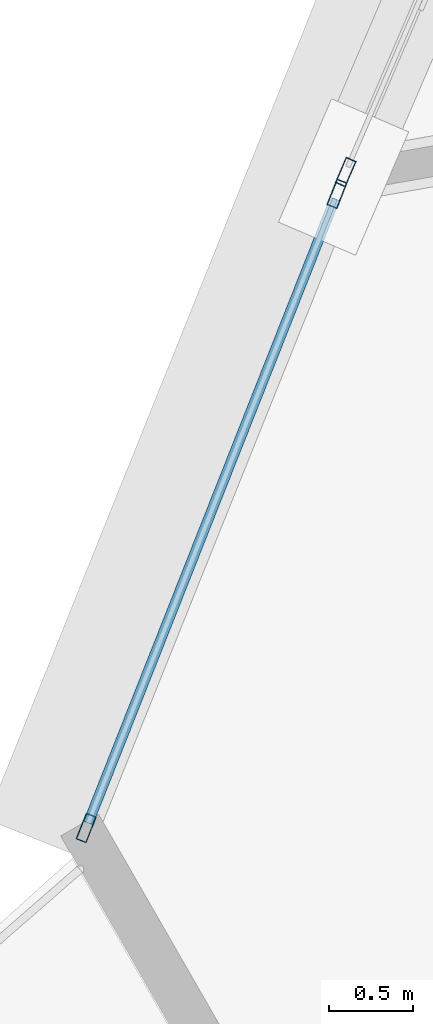
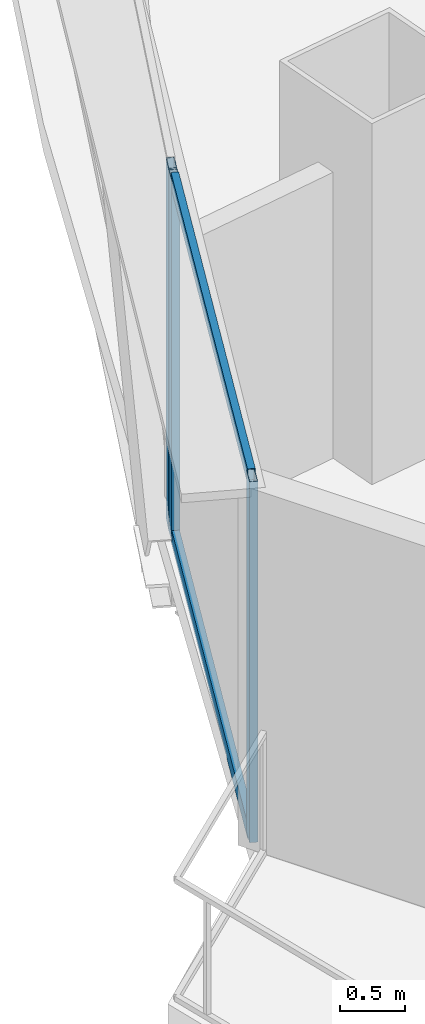
# One storey, part 4 of 38: 5 members, 2 elements without a shape of their own.
"""IFC4 building model written with IfcOpenShell, lengths in metres."""

from ifc_helpers import new_model, si_unit, direction, frame, origin, origin_2d, place, context, subcontext, project, spatial, hollow_rectangle, extrude, source, transform, mapped, material, layer, layer_set, material_profile, profile_set, type_object, element, aggregate, save


model = new_model("IFC4")

# Units and contexts
model_context = context("Model", 3, precision=1e-05, world=origin(), true_north=direction((0.0, 1.0)))
body_context = subcontext(model_context, "Body", "Model", "MODEL_VIEW")
ifc_project = project(units=[si_unit("LENGTHUNIT", "METRE"), si_unit("AREAUNIT", "SQUARE_METRE"), si_unit("VOLUMEUNIT", "CUBIC_METRE"), si_unit("PLANEANGLEUNIT", "RADIAN"), si_unit("MASSUNIT", "GRAM", prefix="KILO"), si_unit("THERMODYNAMICTEMPERATUREUNIT", "KELVIN"), si_unit("POWERUNIT", "WATT")], contexts=[model_context])

# Site, building, storey
site_placement = place(None, origin())
site = spatial("IfcSite", under=ifc_project, at=site_placement, CompositionType="ELEMENT")
building_placement = place(site_placement, origin())
building = spatial("IfcBuilding", under=site, at=building_placement, Name="Yunzhuo Pagoda Commons", CompositionType="ELEMENT")
storey_placement = place(building_placement, frame((0.0, 0.0, 34.030029296875)))
storey = spatial("IfcBuildingStorey", under=building, at=storey_placement, Name="L08", CompositionType="ELEMENT", Elevation=34.030029296875)

# Curtain wall, members
ifc_material = material(Name="Anodized aluminium 6063-T6", Category="aluminium")
ifc_layer = layer(ifc_material, 0.1650390625)
ifc_layer_set = layer_set([ifc_layer], Name="Anodized aluminium 6063-T6")
curtain_wall_type = type_object("IfcCurtainWallType", Name="CW-LOW Low-Zone Ribbon Curtain Wall", PredefinedType="NOTDEFINED", material=ifc_layer_set)
curtain_wall_1_placement = place(storey_placement, origin())
curtain_wall_1 = element("IfcCurtainWall", 1, at=curtain_wall_1_placement, inside=storey, type_object=curtain_wall_type, Name="L08 curtain wall CW-L08-F3B5", PredefinedType="NOTDEFINED")
ifc_material_profile_1 = material_profile(ifc_material, hollow_rectangle(XDim=0.06005859375, YDim=0.139892578125, WallThickness=0.00341796875, at=origin_2d()), Name="Anodized aluminium 6063-T6")
ifc_profile_set_1 = profile_set([ifc_material_profile_1], Name="Anodized aluminium 6063-T6")
member_type_1 = type_object("IfcMemberType", Name="CW-LOW-T Transom RHS 140x60x3.5", PredefinedType="USERDEFINED", material=ifc_profile_set_1)
shared_shape_1 = source(origin(), body_context, "Body", "SweptSolid", [
    extrude(hollow_rectangle(XDim=0.06005859375, YDim=0.139892578125, WallThickness=0.00341796875, at=origin_2d()), origin(), (0.0, 0.0, 1.0), 3.9970703125),
])
member_1_placement = place(storey_placement, frame((5.85009765625, 26.14697265625, 0.030029296875), z_axis=(-0.36764906147, -0.929964605563, 0.0), x_axis=(0.929964605563, -0.36764906147, 0.0)))
member_1 = element("IfcMember", 2, at=member_1_placement, type_object=member_type_1, Name="CW transom 1.1", ObjectType="TRANSOM", PredefinedType="USERDEFINED", context=body_context, shape_type="MappedRepresentation", body=[
    mapped(shared_shape_1, transform((0.0, 0.0, 0.0), scale=1.0)),
])
member_2_placement = place(storey_placement, frame((5.85009765625, 26.14697265625, 3.340087890625), z_axis=(-0.36764906147, -0.929964605563, 0.0), x_axis=(0.929964605563, -0.36764906147, 0.0)))
member_2 = element("IfcMember", 3, at=member_2_placement, type_object=member_type_1, Name="CW transom 1.2", ObjectType="TRANSOM", PredefinedType="USERDEFINED", context=body_context, shape_type="MappedRepresentation", body=[
    mapped(shared_shape_1, transform((0.0, 0.0, 0.0), scale=1.0)),
])

# Curtain wall, member
curtain_wall_2_placement = place(storey_placement, origin())
curtain_wall_2 = element("IfcCurtainWall", 4, at=curtain_wall_2_placement, inside=storey, type_object=curtain_wall_type, Name="L08 curtain wall CW-L08-F3B4", PredefinedType="NOTDEFINED")
ifc_material_profile_2 = material_profile(ifc_material, hollow_rectangle(XDim=0.06494140625, YDim=0.1650390625, WallThickness=0.00390625, at=origin_2d()), Name="Anodized aluminium 6063-T6")
ifc_profile_set_2 = profile_set([ifc_material_profile_2], Name="Anodized aluminium 6063-T6")
member_type_2 = type_object("IfcMemberType", Name="CW-LOW-M Mullion RHS 165x65x4", PredefinedType="MULLION", material=ifc_profile_set_2)
shared_shape_2 = source(origin(), body_context, "Body", "SweptSolid", [
    extrude(hollow_rectangle(XDim=0.06494140625, YDim=0.1650390625, WallThickness=0.00390625, at=origin_2d()), origin(), (0.0, 0.0, 1.0), 3.369873046875),
])
member_3_placement = place(storey_placement, frame((5.91455078125, 26.306640625, 0.0), z_axis=(0.0, 0.0, 1.0), x_axis=(0.918745212535, -0.394850901535, 0.0)))
member_3 = element("IfcMember", 5, at=member_3_placement, type_object=member_type_2, Name="CW mullion 2", PredefinedType="MULLION", context=body_context, shape_type="MappedRepresentation", body=[
    mapped(shared_shape_2, transform((0.0, 0.0, 0.0), scale=1.0)),
])
aggregate(curtain_wall_2, [member_3])

# Member
member_4_placement = place(storey_placement, frame((5.8623046875, 26.177001953125, 0.0), z_axis=(0.0, 0.0, 1.0), x_axis=(0.929958215398, -0.367665224919, 0.0)))
member_4 = element("IfcMember", 6, at=member_4_placement, type_object=member_type_2, Name="CW mullion 1", PredefinedType="MULLION", context=body_context, shape_type="MappedRepresentation", body=[
    mapped(shared_shape_2, transform((0.0, 0.0, 0.0), scale=1.0)),
])

member_5_placement = place(storey_placement, frame((4.36865234375, 22.399658203125, 0.0), z_axis=(0.0, 0.0, 1.0), x_axis=(0.929958215398, -0.367665224919, 0.0)))
member_5 = element("IfcMember", 7, at=member_5_placement, type_object=member_type_2, Name="CW mullion 2", PredefinedType="MULLION", context=body_context, shape_type="MappedRepresentation", body=[
    mapped(shared_shape_2, transform((0.0, 0.0, 0.0), scale=1.0)),
])

aggregate(curtain_wall_1, [member_4, member_5, member_1, member_2])

save(model, "model.ifc")
